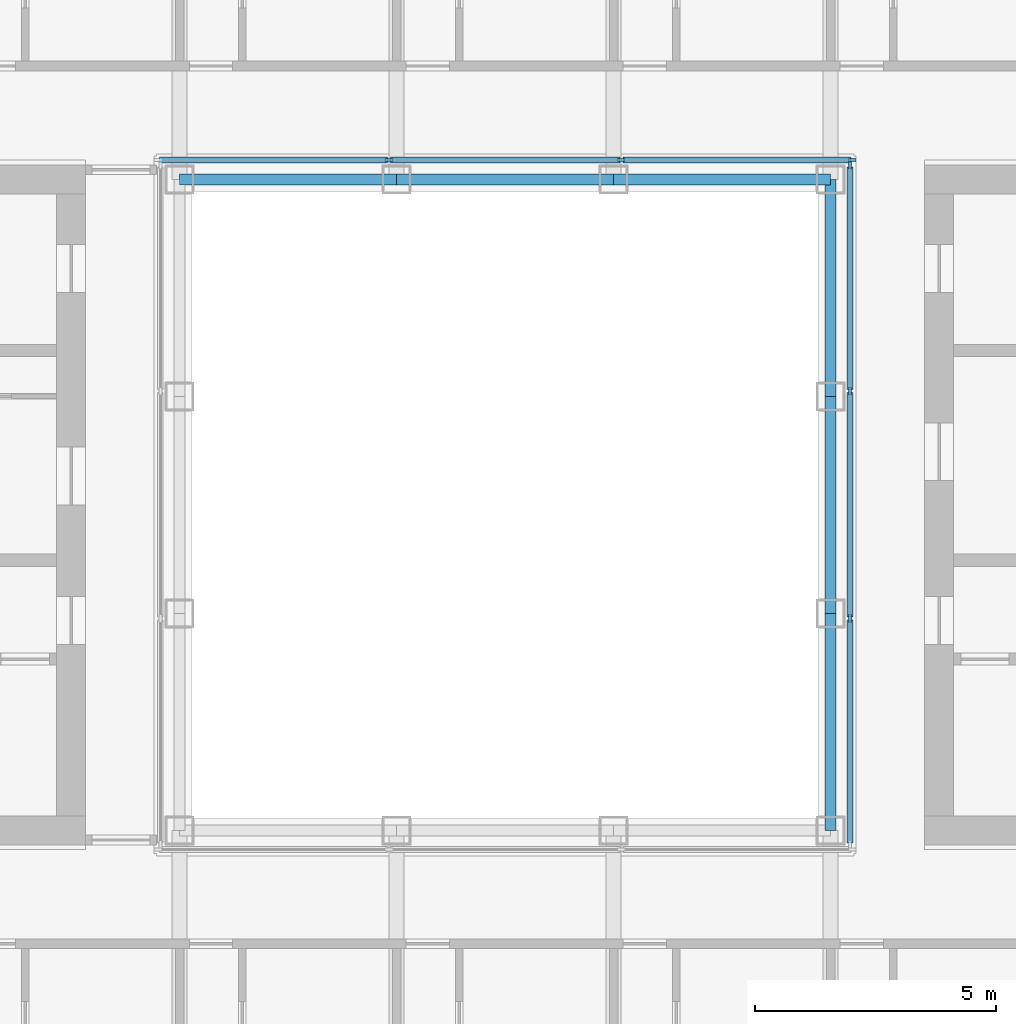
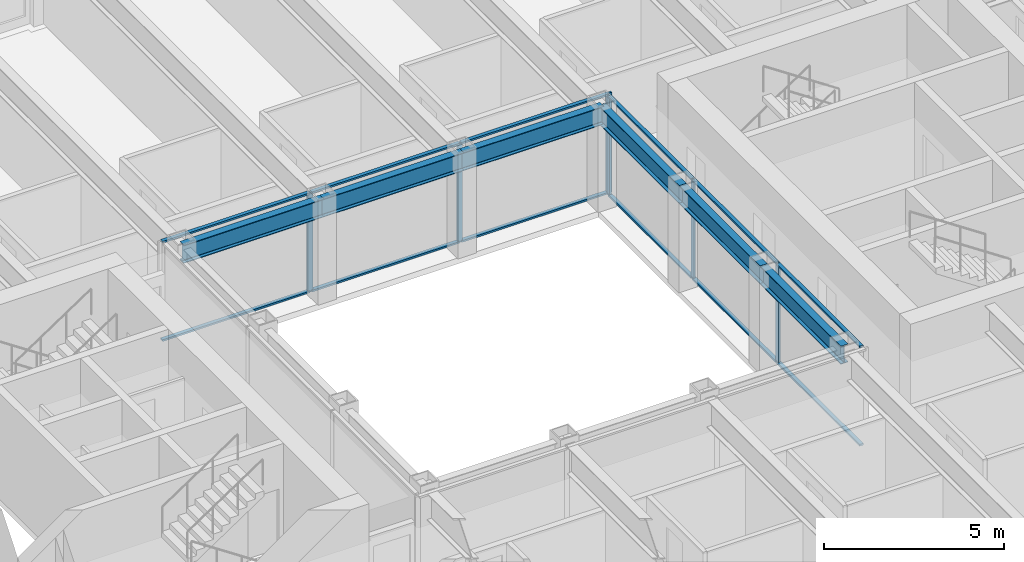
# One storey, part 5 of 18: 18 members, 6 beams, 2 elements without a shape of their own.
"""IFC4 building model written with IfcOpenShell, lengths in metres."""

import ifcopenshell
import ifcopenshell.guid

model = None  # the IFC model being written
_history = None  # IfcOwnerHistory: only IFC2X3 demands one
_inside = {}  # id of a spatial element -> (the spatial element, [elements in it])
_under = {}  # id of a project, library or spatial element -> (it, [spatial elements below it])
_declared = {}  # id of a project -> (the project, [libraries it declares])
_typed = {}  # id of a type object -> (the type object, [elements of that type])
_made_of = {}  # id of a material, layer set ... -> (it, [elements and type objects made of it])


def new_model(schema):
    """Start an empty IFC model of exactly this schema.

    Asked for "IFC4X3", IfcOpenShell would pick the latest addendum, in which some entities
    have other attributes; the version numbers below select the first issue.
    IFC2X3 requires an IfcOwnerHistory on every rooted entity: one is made here for all.
    """
    global model, _history
    if schema == "IFC4X3":
        model = ifcopenshell.file(schema_version=(4, 3, 0, 0))
    else:
        model = ifcopenshell.file(schema=schema)
    _inside.clear()
    _under.clear()
    _declared.clear()
    _typed.clear()
    _made_of.clear()
    _history = None
    if model.schema == "IFC2X3":
        org = make("IfcOrganization", Name="unknown")
        user = make(
            "IfcPersonAndOrganization",
            ThePerson=make("IfcPerson", FamilyName="unknown"),
            TheOrganization=org,
        )
        app = make(
            "IfcApplication",
            ApplicationDeveloper=org,
            Version="unknown",
            ApplicationFullName="unknown",
            ApplicationIdentifier="unknown",
        )
        _history = make(
            "IfcOwnerHistory",
            OwningUser=user,
            OwningApplication=app,
            ChangeAction="ADDED",
            CreationDate=0,
        )
    return model


def make(cls, **values):
    """One entity of the class cls with the attributes given. An attribute that is None is left unset."""
    return model.create_entity(
        cls, **{name: value for name, value in values.items() if value is not None}
    )


def rooted(cls, **values):
    """An entity with a GlobalId (a new one), such as an element, a storey or a relation."""
    return make(cls, GlobalId=ifcopenshell.guid.new(), OwnerHistory=_history, **values)


def si_unit(unit_type, name, prefix=None):
    """IfcSIUnit, for example si_unit("LENGTHUNIT", "METRE", prefix="MILLI")."""
    return make("IfcSIUnit", UnitType=unit_type, Prefix=prefix, Name=name)


def assignment(units):
    """IfcUnitAssignment: the units of a project."""
    return None if units is None else make("IfcUnitAssignment", Units=units)


def point(xyz):
    """IfcCartesianPoint."""
    return None if xyz is None else make("IfcCartesianPoint", Coordinates=xyz)


def direction(xyz):
    """IfcDirection."""
    return None if xyz is None else make("IfcDirection", DirectionRatios=xyz)


def frame(location, z_axis=None, x_axis=None):
    """IfcAxis2Placement3D, a coordinate frame: its origin and axes. An axis left out is left unset."""
    return make(
        "IfcAxis2Placement3D",
        Location=point(location),
        Axis=direction(z_axis),
        RefDirection=direction(x_axis),
    )


def frame_2d(location, x_axis=None):
    """IfcAxis2Placement2D, a coordinate frame in the plane: its origin and x axis."""
    return make(
        "IfcAxis2Placement2D", Location=point(location), RefDirection=direction(x_axis)
    )


def origin():
    """The frame at (0, 0, 0) with its axes left unset."""
    return frame((0.0, 0.0, 0.0))


def origin_2d():
    """The frame at (0, 0) in the plane with its x axis left unset."""
    return frame_2d((0.0, 0.0))


def place(relative_to, where):
    """IfcLocalPlacement: puts the frame where relative to a parent placement (None: the world)."""
    return make(
        "IfcLocalPlacement", PlacementRelTo=relative_to, RelativePlacement=where
    )


def context(
    kind, dimensions, precision=None, world=None, true_north=None, identifier=None
):
    """IfcGeometricRepresentationContext, for example the 3D "Model" context."""
    return make(
        "IfcGeometricRepresentationContext",
        ContextIdentifier=identifier,
        ContextType=kind,
        CoordinateSpaceDimension=dimensions,
        Precision=precision,
        WorldCoordinateSystem=world,
        TrueNorth=true_north,
    )


def subcontext(parent, identifier, kind, view, scale=None):
    """IfcGeometricRepresentationSubContext, for example "Body" below "Model"."""
    return make(
        "IfcGeometricRepresentationSubContext",
        ContextIdentifier=identifier,
        ContextType=kind,
        ParentContext=parent,
        TargetScale=scale,
        TargetView=view,
    )


def project(units=None, contexts=None):
    """IfcProject with its units and contexts."""
    return rooted(
        "IfcProject",
        Name="project",
        RepresentationContexts=contexts,
        UnitsInContext=assignment(units),
    )


def spatial(cls, under=None, at=None, **own):
    """A site, building, storey or space (cls), placed at a placement, below another one or the project."""
    s = rooted(cls, ObjectPlacement=at, **own)
    if under is not None:
        _under.setdefault(under.id(), (under, []))[1].append(s)
    return s


def profile(cls, at=None, kind="AREA", **sizes):
    """A parametric profile (cls). Its sizes go by their IFC names, for example OverallWidth=200.0."""
    return make(cls, ProfileType=kind, Position=at, **sizes)


def rectangle(**sizes):
    """IfcRectangleProfileDef."""
    return profile("IfcRectangleProfileDef", **sizes)


def i_section(**sizes):
    """IfcIShapeProfileDef."""
    return profile("IfcIShapeProfileDef", **sizes)


def extrude(swept, where, along, depth):
    """IfcExtrudedAreaSolid: the profile swept, set in the frame where, extruded along a direction by depth."""
    return make(
        "IfcExtrudedAreaSolid",
        SweptArea=swept,
        Position=where,
        ExtrudedDirection=direction(along),
        Depth=depth,
    )


def shape(context_of_items, identifier, shape_type, items):
    """IfcShapeRepresentation: the items that make up one representation, for example the "Body"."""
    return make(
        "IfcShapeRepresentation",
        ContextOfItems=context_of_items,
        RepresentationIdentifier=identifier,
        RepresentationType=shape_type,
        Items=items,
    )


def material(Name=None, Category=None):
    """IfcMaterial."""
    return make("IfcMaterial", Name=Name, Category=Category)


def material_profile(
    of_material, cross_section, Name=None, Category=None, Priority=None
):
    """IfcMaterialProfile: a cross section and its material."""
    return make(
        "IfcMaterialProfile",
        Name=Name,
        Material=of_material,
        Profile=cross_section,
        Priority=Priority,
        Category=Category,
    )


def profile_set(profiles, Name=None, composite=None):
    """IfcMaterialProfileSet."""
    return make(
        "IfcMaterialProfileSet",
        Name=Name,
        MaterialProfiles=profiles,
        CompositeProfile=composite,
    )


def made_of(thing, what):
    """Note that an element or type object is made of a material, layer set ...; save() writes the relation."""
    if what is not None:
        _made_of.setdefault(what.id(), (what, []))[1].append(thing)
    return thing


def type_object(cls, material=None, **own):
    """A type object (cls), such as IfcWallType, which elements share."""
    return made_of(rooted(cls, **own), material)


def element(
    cls,
    number,
    at=None,
    inside=None,
    cuts=None,
    type_object=None,
    material=None,
    context=None,
    identifier="Body",
    shape_type=None,
    held_by="IfcProductDefinitionShape",
    body=None,
    shapes=None,
    **own,
):
    """One element of the class cls, such as IfcWall. Its Tag is "e" and its number.

    at: its placement. inside: the storey or other place that contains it. cuts: it is an
    opening in that element (IfcRelVoidsElement). A single representation is given by context,
    identifier, shape_type and body (its items); several are given by shapes. held_by: the class
    of the entity that holds the representations. save() writes the other relations.
    """
    e = rooted(cls, Tag="e%d" % number, ObjectPlacement=at, **own)
    if body is not None:
        shapes = [shape(context, identifier, shape_type, body)]
    if shapes is not None:
        e.Representation = make(held_by, Representations=shapes)
    if inside is not None:
        _inside.setdefault(inside.id(), (inside, []))[1].append(e)
    if cuts is not None:
        rooted(
            "IfcRelVoidsElement", RelatingBuildingElement=cuts, RelatedOpeningElement=e
        )
    if type_object is not None:
        _typed.setdefault(type_object.id(), (type_object, []))[1].append(e)
    return made_of(e, material)


def aggregate(whole, parts):
    """IfcRelAggregates: a whole, such as a stair, and the parts it consists of."""
    return rooted("IfcRelAggregates", RelatingObject=whole, RelatedObjects=parts)


def save(model, path):
    """Write the relations noted so far, then the file.

    IfcRelAggregates (storeys below a building ...), IfcRelContainedInSpatialStructure (elements
    in a storey), IfcRelDefinesByType, IfcRelAssociatesMaterial and IfcRelDeclares: one each for
    every whole, place, type object, material and project.
    """
    for whole, parts in _under.values():
        aggregate(whole, parts)
    for where, things in _inside.values():
        rooted(
            "IfcRelContainedInSpatialStructure",
            RelatedElements=things,
            RelatingStructure=where,
        )
    for kind, things in _typed.values():
        rooted("IfcRelDefinesByType", RelatedObjects=things, RelatingType=kind)
    for what, things in _made_of.values():
        rooted("IfcRelAssociatesMaterial", RelatedObjects=things, RelatingMaterial=what)
    for by, libraries in _declared.values():
        rooted("IfcRelDeclares", RelatingContext=by, RelatedDefinitions=libraries)
    model.write(path)


model = new_model("IFC4")

# Units and contexts
model_context = context("Model", 3, precision=1e-05, world=origin(), true_north=direction((0.0, 1.0)))
body_context = subcontext(model_context, "Body", "Model", "MODEL_VIEW")
ifc_project = project(units=[si_unit("LENGTHUNIT", "METRE"), si_unit("AREAUNIT", "SQUARE_METRE"), si_unit("VOLUMEUNIT", "CUBIC_METRE"), si_unit("PLANEANGLEUNIT", "RADIAN"), si_unit("MASSUNIT", "GRAM", prefix="KILO")], contexts=[model_context])

# Site, building, storey
site_placement = place(None, origin())
site = spatial("IfcSite", under=ifc_project, at=site_placement, CompositionType="ELEMENT")
building_placement = place(site_placement, origin())
building = spatial("IfcBuilding", under=site, at=building_placement, Name="Msasa Ring Tower", CompositionType="ELEMENT")
storey_placement = place(building_placement, frame((0.0, 0.0, 122.0)))
storey = spatial("IfcBuildingStorey", under=building, at=storey_placement, Name="L31", CompositionType="ELEMENT", Elevation=122.0)

# Curtain wall, members
ifc_material_1 = material(Name="Aluminium curtain wall with clear glass", Category="aluminium")
curtain_wall_type = type_object("IfcCurtainWallType", Name="CW-W LIGHT WELL CURTAIN WALL", PredefinedType="NOTDEFINED", material=ifc_material_1)
curtain_wall_1_placement = place(storey_placement, origin())
curtain_wall_1 = element("IfcCurtainWall", 1, at=curtain_wall_1_placement, inside=storey, type_object=curtain_wall_type, Name="Light well curtain wall N L31", PredefinedType="NOTDEFINED")
ifc_material_2 = material(Name="Aluminium mullion", Category="aluminium")
ifc_material_profile_1 = material_profile(ifc_material_2, rectangle(XDim=0.06005859375, YDim=0.159912109375, at=origin_2d()), Name="AL 60x160")
ifc_profile_set_1 = profile_set([ifc_material_profile_1], Name="Aluminium mullion")
member_type_1 = type_object("IfcMemberType", Name="CW-W MULLION 60x160", PredefinedType="MULLION", material=ifc_profile_set_1)
member_1_placement = place(storey_placement, frame((-2.409912109375, 7.14990234375, 0.0), z_axis=(0.0, 0.0, 1.0), x_axis=(0.0, 1.0, 0.0)))
member_1 = element("IfcMember", 2, at=member_1_placement, type_object=member_type_1, Name="CW-W mullion 2", PredefinedType="MULLION", context=body_context, shape_type="SweptSolid", body=[
    extrude(rectangle(XDim=0.06005859375, YDim=0.159912109375, at=origin_2d()), origin(), (0.0, 0.0, 1.0), 3.39990234375),
])
member_2_placement = place(storey_placement, frame((2.409912109375, 7.14990234375, 0.0), z_axis=(0.0, 0.0, 1.0), x_axis=(0.0, 1.0, 0.0)))
member_2 = element("IfcMember", 3, at=member_2_placement, type_object=member_type_1, Name="CW-W mullion 3", PredefinedType="MULLION", context=body_context, shape_type="SweptSolid", body=[
    extrude(rectangle(XDim=0.06005859375, YDim=0.159912109375, at=origin_2d()), origin(), (0.0, 0.0, 1.0), 3.39990234375),
])
member_3_placement = place(storey_placement, frame((7.199951171875, 7.14990234375, 0.0), z_axis=(0.0, 0.0, 1.0), x_axis=(0.0, 1.0, 0.0)))
member_3 = element("IfcMember", 4, at=member_3_placement, type_object=member_type_1, Name="CW-W mullion 4", PredefinedType="MULLION", context=body_context, shape_type="SweptSolid", body=[
    extrude(rectangle(XDim=0.06005859375, YDim=0.159912109375, at=origin_2d()), origin(), (0.0, 0.0, 1.0), 3.39990234375),
])

curtain_wall_2_placement = place(storey_placement, origin())
curtain_wall_2 = element("IfcCurtainWall", 5, at=curtain_wall_2_placement, inside=storey, type_object=curtain_wall_type, Name="Light well curtain wall E L31", PredefinedType="NOTDEFINED")
member_4_placement = place(storey_placement, frame((7.14990234375, -2.356689453125, 0.0), z_axis=(0.0, 0.0, 1.0), x_axis=(-1.0, 0.0, 0.0)))
member_4 = element("IfcMember", 6, at=member_4_placement, type_object=member_type_1, Name="CW-W mullion 2", PredefinedType="MULLION", context=body_context, shape_type="SweptSolid", body=[
    extrude(rectangle(XDim=0.06005859375, YDim=0.159912109375, at=origin_2d()), origin(), (0.0, 0.0, 1.0), 3.39990234375),
])
member_5_placement = place(storey_placement, frame((7.14990234375, 2.356689453125, 0.0), z_axis=(0.0, 0.0, 1.0), x_axis=(-1.0, 0.0, 0.0)))
member_5 = element("IfcMember", 7, at=member_5_placement, type_object=member_type_1, Name="CW-W mullion 3", PredefinedType="MULLION", context=body_context, shape_type="SweptSolid", body=[
    extrude(rectangle(XDim=0.06005859375, YDim=0.159912109375, at=origin_2d()), origin(), (0.0, 0.0, 1.0), 3.39990234375),
])
member_6_placement = place(storey_placement, frame((7.14990234375, 7.0400390625, 0.0), z_axis=(0.0, 0.0, 1.0), x_axis=(-1.0, 0.0, 0.0)))
member_6 = element("IfcMember", 8, at=member_6_placement, type_object=member_type_1, Name="CW-W mullion 4", PredefinedType="MULLION", context=body_context, shape_type="SweptSolid", body=[
    extrude(rectangle(XDim=0.06005859375, YDim=0.159912109375, at=origin_2d()), origin(), (0.0, 0.0, 1.0), 3.39990234375),
])

# Member
ifc_material_3 = material(Name="Aluminium transom", Category="aluminium")
ifc_material_profile_2 = material_profile(ifc_material_3, rectangle(XDim=0.1201171875, YDim=0.06005859375, at=origin_2d()), Name="AL 60x120")
ifc_profile_set_2 = profile_set([ifc_material_profile_2], Name="Aluminium transom")
member_type_2 = type_object("IfcMemberType", Name="CW-W TRANSOM 60x120", PredefinedType="USERDEFINED", material=ifc_profile_set_2)
member_7_placement = place(storey_placement, frame((-7.169921875, 7.14990234375, 0.030029296875), z_axis=(1.0, 0.0, 0.0), x_axis=(0.0, 1.0, 0.0)))
member_7 = element("IfcMember", 9, at=member_7_placement, type_object=member_type_2, Name="CW-W transom 1.1", ObjectType="TRANSOM", PredefinedType="USERDEFINED", context=body_context, shape_type="SweptSolid", body=[
    extrude(rectangle(XDim=0.1201171875, YDim=0.06005859375, at=origin_2d()), origin(), (0.0, 0.0, 1.0), 4.72998046875),
])

member_8_placement = place(storey_placement, frame((-7.169921875, 7.14990234375, 3.3701171875), z_axis=(1.0, 0.0, 0.0), x_axis=(0.0, 1.0, 0.0)))
member_8 = element("IfcMember", 10, at=member_8_placement, type_object=member_type_2, Name="CW-W transom 1.2", ObjectType="TRANSOM", PredefinedType="USERDEFINED", context=body_context, shape_type="SweptSolid", body=[
    extrude(rectangle(XDim=0.1201171875, YDim=0.06005859375, at=origin_2d()), origin(), (0.0, 0.0, 1.0), 4.72998046875),
])

member_9_placement = place(storey_placement, frame((-2.3798828125, 7.14990234375, 0.030029296875), z_axis=(1.0, 0.0, 0.0), x_axis=(0.0, 1.0, 0.0)))
member_9 = element("IfcMember", 11, at=member_9_placement, type_object=member_type_2, Name="CW-W transom 2.1", ObjectType="TRANSOM", PredefinedType="USERDEFINED", context=body_context, shape_type="SweptSolid", body=[
    extrude(rectangle(XDim=0.1201171875, YDim=0.06005859375, at=origin_2d()), origin(), (0.0, 0.0, 1.0), 4.759765625),
])

member_10_placement = place(storey_placement, frame((-2.3798828125, 7.14990234375, 3.3701171875), z_axis=(1.0, 0.0, 0.0), x_axis=(0.0, 1.0, 0.0)))
member_10 = element("IfcMember", 12, at=member_10_placement, type_object=member_type_2, Name="CW-W transom 2.2", ObjectType="TRANSOM", PredefinedType="USERDEFINED", context=body_context, shape_type="SweptSolid", body=[
    extrude(rectangle(XDim=0.1201171875, YDim=0.06005859375, at=origin_2d()), origin(), (0.0, 0.0, 1.0), 4.759765625),
])

member_11_placement = place(storey_placement, frame((2.43994140625, 7.14990234375, 0.030029296875), z_axis=(1.0, 0.0, 0.0), x_axis=(0.0, 1.0, 0.0)))
member_11 = element("IfcMember", 13, at=member_11_placement, type_object=member_type_2, Name="CW-W transom 3.1", ObjectType="TRANSOM", PredefinedType="USERDEFINED", context=body_context, shape_type="SweptSolid", body=[
    extrude(rectangle(XDim=0.1201171875, YDim=0.06005859375, at=origin_2d()), origin(), (0.0, 0.0, 1.0), 4.72998046875),
])

member_12_placement = place(storey_placement, frame((2.43994140625, 7.14990234375, 3.3701171875), z_axis=(1.0, 0.0, 0.0), x_axis=(0.0, 1.0, 0.0)))
member_12 = element("IfcMember", 14, at=member_12_placement, type_object=member_type_2, Name="CW-W transom 3.2", ObjectType="TRANSOM", PredefinedType="USERDEFINED", context=body_context, shape_type="SweptSolid", body=[
    extrude(rectangle(XDim=0.1201171875, YDim=0.06005859375, at=origin_2d()), origin(), (0.0, 0.0, 1.0), 4.72998046875),
])

aggregate(curtain_wall_1, [member_1, member_2, member_3, member_7, member_8, member_9, member_10, member_11, member_12])

member_13_placement = place(storey_placement, frame((7.14990234375, -7.010009765625, 0.030029296875), z_axis=(0.0, 1.0, 0.0), x_axis=(-1.0, 0.0, 0.0)))
member_13 = element("IfcMember", 15, at=member_13_placement, type_object=member_type_2, Name="CW-W transom 1.1", ObjectType="TRANSOM", PredefinedType="USERDEFINED", context=body_context, shape_type="SweptSolid", body=[
    extrude(rectangle(XDim=0.1201171875, YDim=0.06005859375, at=origin_2d()), origin(), (0.0, 0.0, 1.0), 4.623291015625),
])

member_14_placement = place(storey_placement, frame((7.14990234375, -7.010009765625, 3.3701171875), z_axis=(0.0, 1.0, 0.0), x_axis=(-1.0, 0.0, 0.0)))
member_14 = element("IfcMember", 16, at=member_14_placement, type_object=member_type_2, Name="CW-W transom 1.2", ObjectType="TRANSOM", PredefinedType="USERDEFINED", context=body_context, shape_type="SweptSolid", body=[
    extrude(rectangle(XDim=0.1201171875, YDim=0.06005859375, at=origin_2d()), origin(), (0.0, 0.0, 1.0), 4.623291015625),
])

member_15_placement = place(storey_placement, frame((7.14990234375, -2.32666015625, 0.030029296875), z_axis=(0.0, 1.0, 0.0), x_axis=(-1.0, 0.0, 0.0)))
member_15 = element("IfcMember", 17, at=member_15_placement, type_object=member_type_2, Name="CW-W transom 2.1", ObjectType="TRANSOM", PredefinedType="USERDEFINED", context=body_context, shape_type="SweptSolid", body=[
    extrude(rectangle(XDim=0.1201171875, YDim=0.06005859375, at=origin_2d()), origin(), (0.0, 0.0, 1.0), 4.6533203125),
])

member_16_placement = place(storey_placement, frame((7.14990234375, -2.32666015625, 3.3701171875), z_axis=(0.0, 1.0, 0.0), x_axis=(-1.0, 0.0, 0.0)))
member_16 = element("IfcMember", 18, at=member_16_placement, type_object=member_type_2, Name="CW-W transom 2.2", ObjectType="TRANSOM", PredefinedType="USERDEFINED", context=body_context, shape_type="SweptSolid", body=[
    extrude(rectangle(XDim=0.1201171875, YDim=0.06005859375, at=origin_2d()), origin(), (0.0, 0.0, 1.0), 4.6533203125),
])

member_17_placement = place(storey_placement, frame((7.14990234375, 2.38671875, 0.030029296875), z_axis=(0.0, 1.0, 0.0), x_axis=(-1.0, 0.0, 0.0)))
member_17 = element("IfcMember", 19, at=member_17_placement, type_object=member_type_2, Name="CW-W transom 3.1", ObjectType="TRANSOM", PredefinedType="USERDEFINED", context=body_context, shape_type="SweptSolid", body=[
    extrude(rectangle(XDim=0.1201171875, YDim=0.06005859375, at=origin_2d()), origin(), (0.0, 0.0, 1.0), 4.623291015625),
])

member_18_placement = place(storey_placement, frame((7.14990234375, 2.38671875, 3.3701171875), z_axis=(0.0, 1.0, 0.0), x_axis=(-1.0, 0.0, 0.0)))
member_18 = element("IfcMember", 20, at=member_18_placement, type_object=member_type_2, Name="CW-W transom 3.2", ObjectType="TRANSOM", PredefinedType="USERDEFINED", context=body_context, shape_type="SweptSolid", body=[
    extrude(rectangle(XDim=0.1201171875, YDim=0.06005859375, at=origin_2d()), origin(), (0.0, 0.0, 1.0), 4.623291015625),
])

aggregate(curtain_wall_2, [member_4, member_5, member_6, member_13, member_14, member_15, member_16, member_17, member_18])

# Beams
ifc_material_4 = material(Name="Steel S355", Category="steel")
ifc_material_profile_3 = material_profile(ifc_material_4, i_section(OverallWidth=0.230224609375, OverallDepth=0.6171875, WebThickness=0.01318359375, FlangeThickness=0.022216796875, FilletRadius=0.0126953125, at=origin_2d()), Name="UB 610x229x140")
ifc_profile_set_3 = profile_set([ifc_material_profile_3], Name="Steel S355")
beam_type = type_object("IfcBeamType", Name="RB1 UB 610x229x140", PredefinedType="BEAM", material=ifc_profile_set_3)
for number, where, z_axis, x_axis, name in (
    (21, (6.75, -6.75, 3.09130859375), (0.0, 1.0, 0.0), (-1.0, 0.0, 0.0), "Inner ring beam IR+6.75-6.75 under L32"),
    (22, (6.75, -2.25, 3.09130859375), (0.0, 1.0, 0.0), (-1.0, 0.0, 0.0), "Inner ring beam IR+6.75-2.25 under L32"),
    (23, (6.75, 2.25, 3.09130859375), (0.0, 1.0, 0.0), (-1.0, 0.0, 0.0), "Inner ring beam IR+6.75+2.25 under L32"),
    (24, (6.75, 6.75, 3.09130859375), (-1.0, 0.0, 0.0), (0.0, -1.0, 0.0), "Inner ring beam IR+6.75+6.75 under L32"),
    (25, (2.25, 6.75, 3.09130859375), (-1.0, 0.0, 0.0), (0.0, -1.0, 0.0), "Inner ring beam IR+2.25+6.75 under L32"),
    (26, (-2.25, 6.75, 3.09130859375), (-1.0, 0.0, 0.0), (0.0, -1.0, 0.0), "Inner ring beam IR-2.25+6.75 under L32"),
):
    element("IfcBeam", number, at=place(storey_placement, frame(where, z_axis=z_axis, x_axis=x_axis)), inside=storey, type_object=beam_type, Name=name, PredefinedType="BEAM", context=body_context, shape_type="SweptSolid", body=[
        extrude(i_section(OverallWidth=0.230224609375, OverallDepth=0.6171875, WebThickness=0.01318359375, FlangeThickness=0.022216796875, FilletRadius=0.0126953125, at=origin_2d()), origin(), (0.0, 0.0, 1.0), 4.5),
    ])

save(model, "model.ifc")
